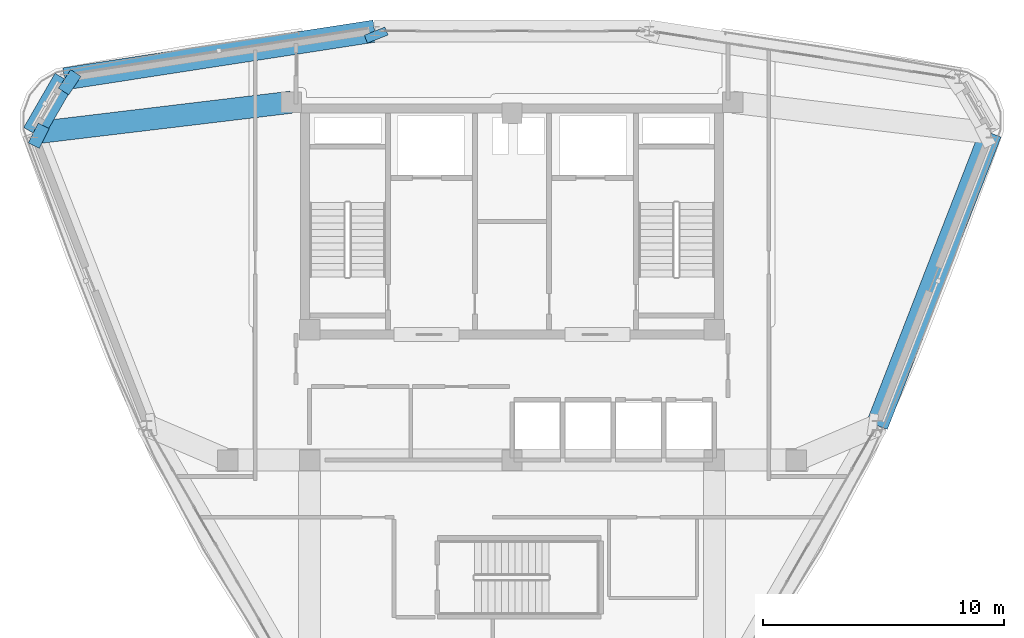
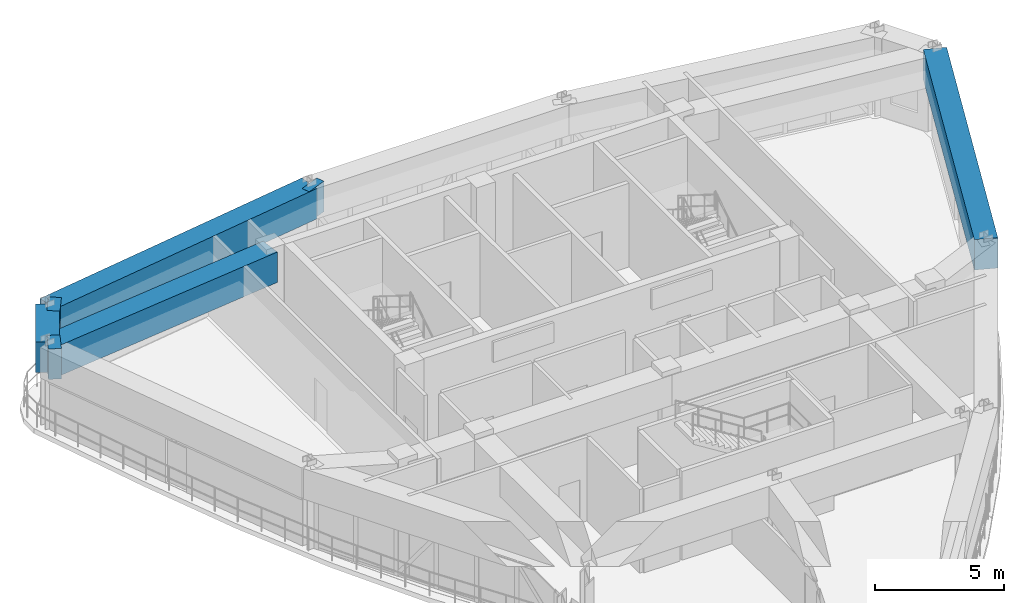
# One storey, part 8 of 18: 7 beams.
"""IFC4 building model written with IfcOpenShell, lengths in metres."""

from ifc_helpers import new_model, si_unit, derived_unit, direction, frame, origin, origin_2d, place, context, subcontext, project, spatial, rectangle, extrude, source, transform, mapped, material, material_profile, profile_set, type_object, element, save


model = new_model("IFC4")

# Units and contexts
model_context = context("Model", 3, precision=1e-05, world=origin(), true_north=direction((0.0, 1.0)))
body_context = subcontext(model_context, "Body", "Model", "MODEL_VIEW")
ifc_project = project(units=[si_unit("LENGTHUNIT", "METRE"), si_unit("AREAUNIT", "SQUARE_METRE"), si_unit("VOLUMEUNIT", "CUBIC_METRE"), si_unit("PLANEANGLEUNIT", "RADIAN"), si_unit("MASSUNIT", "GRAM", prefix="KILO"), derived_unit("THERMALTRANSMITTANCEUNIT", [(si_unit("POWERUNIT", "WATT"), 1), (si_unit("LENGTHUNIT", "METRE"), -2), (si_unit("THERMODYNAMICTEMPERATUREUNIT", "KELVIN"), -1)])], contexts=[model_context])

# Site, building, storey
site_placement = place(None, origin())
site = spatial("IfcSite", under=ifc_project, at=site_placement, CompositionType="ELEMENT")
building_placement = place(site_placement, origin())
building = spatial("IfcBuilding", under=site, at=building_placement, Name="Korsvarv Bourse and Concert Hall", CompositionType="ELEMENT")
storey_placement = place(building_placement, frame((0.0, 0.0, 275.39990234375)))
storey = spatial("IfcBuildingStorey", under=building, at=storey_placement, Name="L72", CompositionType="ELEMENT", Elevation=275.39990234375)

# Beams
ifc_material = material(Name="Concrete C50/60", Category="concrete")
ifc_material_profile = material_profile(ifc_material, rectangle(XDim=0.919921875, YDim=1.43994140625, at=origin_2d()), Name="RC-BM 920x1440")
ifc_profile_set = profile_set([ifc_material_profile], Name="Concrete C50/60")
beam_type = type_object("IfcBeamType", Name="BM-TR-144", PredefinedType="BEAM", material=ifc_profile_set)
shared_shape_1 = source(origin(), body_context, "Body", "SweptSolid", [
    extrude(rectangle(XDim=0.919921875, YDim=1.43994140625, at=origin_2d()), origin(), (0.0, 0.0, 1.0), 2.5986328125),
])
beam_1_placement = place(storey_placement, frame((17.435791015625, 48.21826171875, 3.239990234375), z_axis=(-0.499928491324, -0.866066685402, 0.0), x_axis=(0.866066685402, -0.499928491324, 0.0)))
element("IfcBeam", 1, at=beam_1_placement, inside=storey, type_object=beam_type, Name="L72 beam B-TR4", PredefinedType="BEAM", context=body_context, shape_type="MappedRepresentation", body=[
    mapped(shared_shape_1, transform((0.0, 0.0, 0.0), scale=1.0)),
])
shared_shape_2 = source(origin(), body_context, "Body", "SweptSolid", [
    extrude(rectangle(XDim=0.919921875, YDim=1.43994140625, at=origin_2d()), origin(), (0.0, 0.0, 1.0), 13.0166015625),
])
for number, where, z_axis, x_axis, name in (
    (2, (30.30078125, 50.19970703125, 3.239990234375), (-0.988346097473, -0.152223492306, 0.0), (0.152223492306, -0.988346097473, 0.0), "L72 beam B-TR4"),
    (3, (51.14697265625, 33.835693359375, 3.239990234375), (0.362331307837, 0.932049367448, 0.0), (-0.932049367448, 0.362331307837, 0.0), "L72 beam B-TR4"),
):
    element("IfcBeam", number, at=place(storey_placement, frame(where, z_axis=z_axis, x_axis=x_axis)), inside=storey, type_object=beam_type, Name=name, PredefinedType="BEAM", context=body_context, shape_type="MappedRepresentation", body=[
        mapped(shared_shape_2, transform((0.0, 0.0, 0.0), scale=1.0)),
    ])
shared_shape_3 = source(origin(), body_context, "Body", "SweptSolid", [
    extrude(rectangle(XDim=0.919921875, YDim=1.43994140625, at=origin_2d()), origin(), (0.0, 0.0, 1.0), 10.789794921875),
])
beam_2_placement = place(storey_placement, frame((16.13671875, 45.9677734375, 3.239990234375), z_axis=(0.992913835805, 0.118836503934, 0.0), x_axis=(-0.118836503934, 0.992913835805, 0.0)))
element("IfcBeam", 4, at=beam_2_placement, inside=storey, type_object=beam_type, Name="L72 beam B-TR4", PredefinedType="BEAM", context=body_context, shape_type="MappedRepresentation", body=[
    mapped(shared_shape_3, transform((0.0, 0.0, 0.0), scale=1.0)),
])
shared_shape_4 = source(origin(), body_context, "Body", "SweptSolid", [
    extrude(rectangle(XDim=0.919921875, YDim=1.43994140625, at=origin_2d()), origin(), (0.0, 0.0, 1.0), 0.510498046875),
])
for number, where, z_axis, x_axis, name in (
    (5, (17.435791015625, 48.21826171875, 3.239990234375), (0.83300543587, -0.553264804421, 0.0), (0.553264804421, 0.83300543587, 0.0), "L72 beam B-TR4"),
    (6, (16.13671875, 45.9677734375, 3.239990234375), (0.895857489592, -0.444341488431, 0.0), (0.444341488431, 0.895857489592, 0.0), "L72 beam B-TR4"),
):
    element("IfcBeam", number, at=place(storey_placement, frame(where, z_axis=z_axis, x_axis=x_axis)), inside=storey, type_object=beam_type, Name=name, PredefinedType="BEAM", context=body_context, shape_type="MappedRepresentation", body=[
        mapped(shared_shape_4, transform((0.0, 0.0, 0.0), scale=1.0)),
    ])
shared_shape_5 = source(origin(), body_context, "Body", "SweptSolid", [
    extrude(rectangle(XDim=0.919921875, YDim=1.43994140625, at=origin_2d()), origin(), (0.0, 0.0, 1.0), 0.356201171875),
])
beam_3_placement = place(storey_placement, frame((30.30078125, 50.19970703125, 3.239990234375), z_axis=(0.363934146946, -0.931424681167, 0.0), x_axis=(0.931424681167, 0.363934146946, 0.0)))
element("IfcBeam", 7, at=beam_3_placement, inside=storey, type_object=beam_type, Name="L72 beam B-TR4", PredefinedType="BEAM", context=body_context, shape_type="MappedRepresentation", body=[
    mapped(shared_shape_5, transform((0.0, 0.0, 0.0), scale=1.0)),
])

save(model, "model.ifc")
